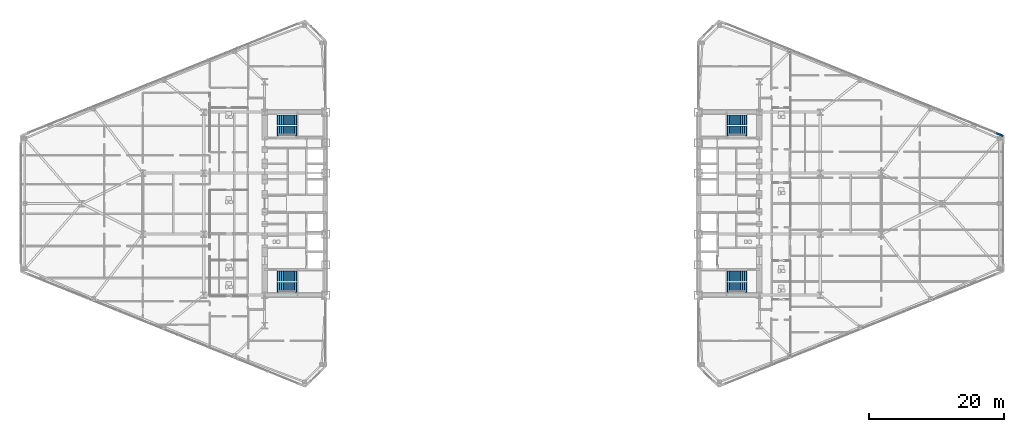
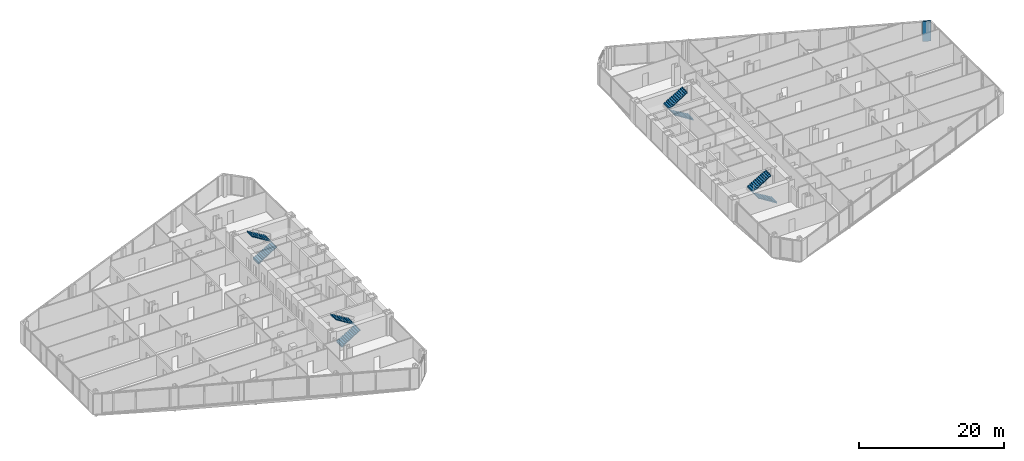
# One storey, part 23 of 25: 8 stair flights, 1 wall, 4 elements without a shape of their own.
"""IFC4 building model written with IfcOpenShell, lengths in metres."""

from ifc_helpers import new_model, si_unit, direction, frame, frame_2d, origin, place, context, subcontext, project, spatial, polyline, rectangle, outline, extrude, material, layer, layer_set, type_object, element, aggregate, save


model = new_model("IFC4")

# Units and contexts
model_context = context("Model", 3, precision=1e-05, world=origin(), true_north=direction((0.0, 1.0)))
body_context = subcontext(model_context, "Body", "Model", "MODEL_VIEW")
ifc_project = project(units=[si_unit("LENGTHUNIT", "METRE"), si_unit("AREAUNIT", "SQUARE_METRE"), si_unit("VOLUMEUNIT", "CUBIC_METRE"), si_unit("PLANEANGLEUNIT", "RADIAN"), si_unit("MASSUNIT", "GRAM", prefix="KILO")], contexts=[model_context])

# Site, building, storey
site_placement = place(None, origin())
site = spatial("IfcSite", under=ifc_project, at=site_placement, CompositionType="ELEMENT")
building_placement = place(site_placement, origin())
building = spatial("IfcBuilding", under=site, at=building_placement, Name="Seokmaru Belvedere", CompositionType="ELEMENT")
storey_placement = place(building_placement, frame((0.0, 0.0, 36.89990234375)))
storey = spatial("IfcBuildingStorey", under=building, at=storey_placement, Name="L09", CompositionType="ELEMENT", Elevation=36.89990234375)

# Wall
ifc_material_1 = material(Name="Anodised Bronze Aluminium", Category="aluminium")
ifc_layer = layer(ifc_material_1, 0.239990234375)
ifc_layer_set = layer_set([ifc_layer], Name="Anodised Bronze Aluminium")
wall_type = type_object("IfcWallType", Name="Tower Corner Spandrel Closure Wall 240", PredefinedType="SOLIDWALL", material=ifc_layer_set)
wall_placement = place(storey_placement, frame((72.49072265625, 10.00390625, 0.0), z_axis=(0.0, 0.0, 1.0), x_axis=(-0.927007103665, 0.375043770452, 0.0)))
element("IfcWall", 1, at=wall_placement, inside=storey, type_object=wall_type, Name="L09 E Corner Closure Pier 3A", PredefinedType="SOLIDWALL", context=body_context, shape_type="SweptSolid", body=[
    extrude(rectangle(XDim=1.139892578125, YDim=0.239990234375, at=frame_2d((0.56982421875, 0.0))), origin(), (0.0, 0.0, 1.0), 3.380126953125),
])

# Stair, stair flights
ifc_material_2 = material(Name="Concrete C40 (40 MPa)", Category="concrete")
stair_type = type_object("IfcStairType", Name="Typical Tower Core Dog-Leg Stair 3600", PredefinedType="TWO_STRAIGHT_RUN_STAIR", material=ifc_material_2)
stair_1_placement = place(storey_placement, origin())
stair_1 = element("IfcStair", 2, at=stair_1_placement, inside=storey, type_object=stair_type, Name="L09 Special Escape Stair ST-W1", PredefinedType="TWO_STRAIGHT_RUN_STAIR")
stair_flight_type = type_object("IfcStairFlightType", Name="Reinforced Concrete Stair Flight 1500", PredefinedType="STRAIGHT", material=ifc_material_2)
stair_flight_1_placement = place(storey_placement, frame((-34.60009765625, -12.35009765625, 0.0), z_axis=(0.0, 0.0, 1.0), x_axis=(1.0, 0.0, 0.0)))
stair_flight_1 = element("IfcStairFlight", 3, at=stair_flight_1_placement, type_object=stair_flight_type, Name="ST-W1 flight 1", NumberOfRisers=11, NumberOfTreads=10, PredefinedType="STRAIGHT", RiserHeight=0.163636364, TreadLength=0.28, context=body_context, shape_type="SweptSolid", body=[
    extrude(outline(polyline([(-0.080078125, 0.0), (0.0, 0.16357421875), (0.280029296875, 0.16357421875), (0.280029296875, 0.327392578125), (0.56005859375, 0.327392578125), (0.56005859375, 0.490966796875), (0.840087890625, 0.490966796875), (0.840087890625, 0.654541015625), (1.1201171875, 0.654541015625), (1.1201171875, 0.818115234375), (1.39990234375, 0.818115234375), (1.39990234375, 0.98193359375), (1.679931640625, 0.98193359375), (1.679931640625, 1.1455078125), (1.9599609375, 1.1455078125), (1.9599609375, 1.30908203125), (2.239990234375, 1.30908203125), (2.239990234375, 1.47265625), (2.52001953125, 1.47265625), (2.52001953125, 1.636474609375), (2.800048828125, 1.636474609375), (2.800048828125, 1.800048828125), (2.8798828125, 1.800048828125), (2.8798828125, 1.610107421875), (2.800048828125, 1.610107421875), (0.0, -0.159912109375), (-0.080078125, -0.159912109375), (-0.080078125, 0.0)])), frame((0.0, 0.75, 0.0), z_axis=(0.0, -1.0, 0.0), x_axis=(1.0, 0.0, 0.0)), (0.0, 0.0, 1.0), 1.5),
])
stair_flight_2_placement = place(storey_placement, frame((-31.800048828125, -10.7099609375, 1.800048828125), z_axis=(0.0, 0.0, 1.0), x_axis=(-1.0, 0.0, 0.0)))
stair_flight_2 = element("IfcStairFlight", 4, at=stair_flight_2_placement, type_object=stair_flight_type, Name="ST-W1 flight 2", NumberOfRisers=11, NumberOfTreads=10, PredefinedType="STRAIGHT", RiserHeight=0.163636364, TreadLength=0.28, context=body_context, shape_type="SweptSolid", body=[
    extrude(outline(polyline([(-0.080078125, 0.0), (0.0, 0.16357421875), (0.280029296875, 0.16357421875), (0.280029296875, 0.327392578125), (0.56005859375, 0.327392578125), (0.56005859375, 0.490966796875), (0.840087890625, 0.490966796875), (0.840087890625, 0.654541015625), (1.1201171875, 0.654541015625), (1.1201171875, 0.818115234375), (1.39990234375, 0.818115234375), (1.39990234375, 0.98193359375), (1.679931640625, 0.98193359375), (1.679931640625, 1.1455078125), (1.9599609375, 1.1455078125), (1.9599609375, 1.30908203125), (2.239990234375, 1.30908203125), (2.239990234375, 1.47265625), (2.52001953125, 1.47265625), (2.52001953125, 1.636474609375), (2.800048828125, 1.636474609375), (2.800048828125, 1.800048828125), (2.8798828125, 1.800048828125), (2.8798828125, 1.610107421875), (2.800048828125, 1.610107421875), (0.0, -0.159912109375), (-0.080078125, -0.159912109375), (-0.080078125, 0.0)])), frame((0.0, 0.75, 0.0), z_axis=(0.0, -1.0, 0.0), x_axis=(1.0, 0.0, 0.0)), (0.0, 0.0, 1.0), 1.5),
])
aggregate(stair_1, [stair_flight_1, stair_flight_2])

stair_2_placement = place(storey_placement, origin())
stair_2 = element("IfcStair", 5, at=stair_2_placement, inside=storey, type_object=stair_type, Name="L09 Special Escape Stair ST-W2", PredefinedType="TWO_STRAIGHT_RUN_STAIR")
stair_flight_3_placement = place(storey_placement, frame((-34.60009765625, 10.7099609375, 0.0), z_axis=(0.0, 0.0, 1.0), x_axis=(1.0, 0.0, 0.0)))
stair_flight_3 = element("IfcStairFlight", 6, at=stair_flight_3_placement, type_object=stair_flight_type, Name="ST-W2 flight 1", NumberOfRisers=11, NumberOfTreads=10, PredefinedType="STRAIGHT", RiserHeight=0.163636364, TreadLength=0.28, context=body_context, shape_type="SweptSolid", body=[
    extrude(outline(polyline([(-0.080078125, 0.0), (0.0, 0.16357421875), (0.280029296875, 0.16357421875), (0.280029296875, 0.327392578125), (0.56005859375, 0.327392578125), (0.56005859375, 0.490966796875), (0.840087890625, 0.490966796875), (0.840087890625, 0.654541015625), (1.1201171875, 0.654541015625), (1.1201171875, 0.818115234375), (1.39990234375, 0.818115234375), (1.39990234375, 0.98193359375), (1.679931640625, 0.98193359375), (1.679931640625, 1.1455078125), (1.9599609375, 1.1455078125), (1.9599609375, 1.30908203125), (2.239990234375, 1.30908203125), (2.239990234375, 1.47265625), (2.52001953125, 1.47265625), (2.52001953125, 1.636474609375), (2.800048828125, 1.636474609375), (2.800048828125, 1.800048828125), (2.8798828125, 1.800048828125), (2.8798828125, 1.610107421875), (2.800048828125, 1.610107421875), (0.0, -0.159912109375), (-0.080078125, -0.159912109375), (-0.080078125, 0.0)])), frame((0.0, 0.75, 0.0), z_axis=(0.0, -1.0, 0.0), x_axis=(1.0, 0.0, 0.0)), (0.0, 0.0, 1.0), 1.5),
])
stair_flight_4_placement = place(storey_placement, frame((-31.800048828125, 12.35009765625, 1.800048828125), z_axis=(0.0, 0.0, 1.0), x_axis=(-1.0, 0.0, 0.0)))
stair_flight_4 = element("IfcStairFlight", 7, at=stair_flight_4_placement, type_object=stair_flight_type, Name="ST-W2 flight 2", NumberOfRisers=11, NumberOfTreads=10, PredefinedType="STRAIGHT", RiserHeight=0.163636364, TreadLength=0.28, context=body_context, shape_type="SweptSolid", body=[
    extrude(outline(polyline([(-0.080078125, 0.0), (0.0, 0.16357421875), (0.280029296875, 0.16357421875), (0.280029296875, 0.327392578125), (0.56005859375, 0.327392578125), (0.56005859375, 0.490966796875), (0.840087890625, 0.490966796875), (0.840087890625, 0.654541015625), (1.1201171875, 0.654541015625), (1.1201171875, 0.818115234375), (1.39990234375, 0.818115234375), (1.39990234375, 0.98193359375), (1.679931640625, 0.98193359375), (1.679931640625, 1.1455078125), (1.9599609375, 1.1455078125), (1.9599609375, 1.30908203125), (2.239990234375, 1.30908203125), (2.239990234375, 1.47265625), (2.52001953125, 1.47265625), (2.52001953125, 1.636474609375), (2.800048828125, 1.636474609375), (2.800048828125, 1.800048828125), (2.8798828125, 1.800048828125), (2.8798828125, 1.610107421875), (2.800048828125, 1.610107421875), (0.0, -0.159912109375), (-0.080078125, -0.159912109375), (-0.080078125, 0.0)])), frame((0.0, 0.75, 0.0), z_axis=(0.0, -1.0, 0.0), x_axis=(1.0, 0.0, 0.0)), (0.0, 0.0, 1.0), 1.5),
])
aggregate(stair_2, [stair_flight_3, stair_flight_4])

stair_3_placement = place(storey_placement, origin())
stair_3 = element("IfcStair", 8, at=stair_3_placement, inside=storey, type_object=stair_type, Name="L09 Special Escape Stair ST-E1", PredefinedType="TWO_STRAIGHT_RUN_STAIR")
stair_flight_5_placement = place(storey_placement, frame((34.60009765625, -12.35009765625, 0.0), z_axis=(0.0, 0.0, 1.0), x_axis=(-1.0, 0.0, 0.0)))
stair_flight_5 = element("IfcStairFlight", 9, at=stair_flight_5_placement, type_object=stair_flight_type, Name="ST-E1 flight 1", NumberOfRisers=11, NumberOfTreads=10, PredefinedType="STRAIGHT", RiserHeight=0.163636364, TreadLength=0.28, context=body_context, shape_type="SweptSolid", body=[
    extrude(outline(polyline([(-0.080078125, 0.0), (0.0, 0.16357421875), (0.280029296875, 0.16357421875), (0.280029296875, 0.327392578125), (0.56005859375, 0.327392578125), (0.56005859375, 0.490966796875), (0.840087890625, 0.490966796875), (0.840087890625, 0.654541015625), (1.1201171875, 0.654541015625), (1.1201171875, 0.818115234375), (1.39990234375, 0.818115234375), (1.39990234375, 0.98193359375), (1.679931640625, 0.98193359375), (1.679931640625, 1.1455078125), (1.9599609375, 1.1455078125), (1.9599609375, 1.30908203125), (2.239990234375, 1.30908203125), (2.239990234375, 1.47265625), (2.52001953125, 1.47265625), (2.52001953125, 1.636474609375), (2.800048828125, 1.636474609375), (2.800048828125, 1.800048828125), (2.8798828125, 1.800048828125), (2.8798828125, 1.610107421875), (2.800048828125, 1.610107421875), (0.0, -0.159912109375), (-0.080078125, -0.159912109375), (-0.080078125, 0.0)])), frame((0.0, 0.75, 0.0), z_axis=(0.0, -1.0, 0.0), x_axis=(1.0, 0.0, 0.0)), (0.0, 0.0, 1.0), 1.5),
])
stair_flight_6_placement = place(storey_placement, frame((31.800048828125, -10.7099609375, 1.800048828125), z_axis=(0.0, 0.0, 1.0), x_axis=(1.0, 0.0, 0.0)))
stair_flight_6 = element("IfcStairFlight", 10, at=stair_flight_6_placement, type_object=stair_flight_type, Name="ST-E1 flight 2", NumberOfRisers=11, NumberOfTreads=10, PredefinedType="STRAIGHT", RiserHeight=0.163636364, TreadLength=0.28, context=body_context, shape_type="SweptSolid", body=[
    extrude(outline(polyline([(-0.080078125, 0.0), (0.0, 0.16357421875), (0.280029296875, 0.16357421875), (0.280029296875, 0.327392578125), (0.56005859375, 0.327392578125), (0.56005859375, 0.490966796875), (0.840087890625, 0.490966796875), (0.840087890625, 0.654541015625), (1.1201171875, 0.654541015625), (1.1201171875, 0.818115234375), (1.39990234375, 0.818115234375), (1.39990234375, 0.98193359375), (1.679931640625, 0.98193359375), (1.679931640625, 1.1455078125), (1.9599609375, 1.1455078125), (1.9599609375, 1.30908203125), (2.239990234375, 1.30908203125), (2.239990234375, 1.47265625), (2.52001953125, 1.47265625), (2.52001953125, 1.636474609375), (2.800048828125, 1.636474609375), (2.800048828125, 1.800048828125), (2.8798828125, 1.800048828125), (2.8798828125, 1.610107421875), (2.800048828125, 1.610107421875), (0.0, -0.159912109375), (-0.080078125, -0.159912109375), (-0.080078125, 0.0)])), frame((0.0, 0.75, 0.0), z_axis=(0.0, -1.0, 0.0), x_axis=(1.0, 0.0, 0.0)), (0.0, 0.0, 1.0), 1.5),
])
aggregate(stair_3, [stair_flight_5, stair_flight_6])

stair_4_placement = place(storey_placement, origin())
stair_4 = element("IfcStair", 11, at=stair_4_placement, inside=storey, type_object=stair_type, Name="L09 Special Escape Stair ST-E2", PredefinedType="TWO_STRAIGHT_RUN_STAIR")
stair_flight_7_placement = place(storey_placement, frame((34.60009765625, 10.7099609375, 0.0), z_axis=(0.0, 0.0, 1.0), x_axis=(-1.0, 0.0, 0.0)))
stair_flight_7 = element("IfcStairFlight", 12, at=stair_flight_7_placement, type_object=stair_flight_type, Name="ST-E2 flight 1", NumberOfRisers=11, NumberOfTreads=10, PredefinedType="STRAIGHT", RiserHeight=0.163636364, TreadLength=0.28, context=body_context, shape_type="SweptSolid", body=[
    extrude(outline(polyline([(-0.080078125, 0.0), (0.0, 0.16357421875), (0.280029296875, 0.16357421875), (0.280029296875, 0.327392578125), (0.56005859375, 0.327392578125), (0.56005859375, 0.490966796875), (0.840087890625, 0.490966796875), (0.840087890625, 0.654541015625), (1.1201171875, 0.654541015625), (1.1201171875, 0.818115234375), (1.39990234375, 0.818115234375), (1.39990234375, 0.98193359375), (1.679931640625, 0.98193359375), (1.679931640625, 1.1455078125), (1.9599609375, 1.1455078125), (1.9599609375, 1.30908203125), (2.239990234375, 1.30908203125), (2.239990234375, 1.47265625), (2.52001953125, 1.47265625), (2.52001953125, 1.636474609375), (2.800048828125, 1.636474609375), (2.800048828125, 1.800048828125), (2.8798828125, 1.800048828125), (2.8798828125, 1.610107421875), (2.800048828125, 1.610107421875), (0.0, -0.159912109375), (-0.080078125, -0.159912109375), (-0.080078125, 0.0)])), frame((0.0, 0.75, 0.0), z_axis=(0.0, -1.0, 0.0), x_axis=(1.0, 0.0, 0.0)), (0.0, 0.0, 1.0), 1.5),
])
stair_flight_8_placement = place(storey_placement, frame((31.800048828125, 12.35009765625, 1.800048828125), z_axis=(0.0, 0.0, 1.0), x_axis=(1.0, 0.0, 0.0)))
stair_flight_8 = element("IfcStairFlight", 13, at=stair_flight_8_placement, type_object=stair_flight_type, Name="ST-E2 flight 2", NumberOfRisers=11, NumberOfTreads=10, PredefinedType="STRAIGHT", RiserHeight=0.163636364, TreadLength=0.28, context=body_context, shape_type="SweptSolid", body=[
    extrude(outline(polyline([(-0.080078125, 0.0), (0.0, 0.16357421875), (0.280029296875, 0.16357421875), (0.280029296875, 0.327392578125), (0.56005859375, 0.327392578125), (0.56005859375, 0.490966796875), (0.840087890625, 0.490966796875), (0.840087890625, 0.654541015625), (1.1201171875, 0.654541015625), (1.1201171875, 0.818115234375), (1.39990234375, 0.818115234375), (1.39990234375, 0.98193359375), (1.679931640625, 0.98193359375), (1.679931640625, 1.1455078125), (1.9599609375, 1.1455078125), (1.9599609375, 1.30908203125), (2.239990234375, 1.30908203125), (2.239990234375, 1.47265625), (2.52001953125, 1.47265625), (2.52001953125, 1.636474609375), (2.800048828125, 1.636474609375), (2.800048828125, 1.800048828125), (2.8798828125, 1.800048828125), (2.8798828125, 1.610107421875), (2.800048828125, 1.610107421875), (0.0, -0.159912109375), (-0.080078125, -0.159912109375), (-0.080078125, 0.0)])), frame((0.0, 0.75, 0.0), z_axis=(0.0, -1.0, 0.0), x_axis=(1.0, 0.0, 0.0)), (0.0, 0.0, 1.0), 1.5),
])
aggregate(stair_4, [stair_flight_7, stair_flight_8])

save(model, "model.ifc")
